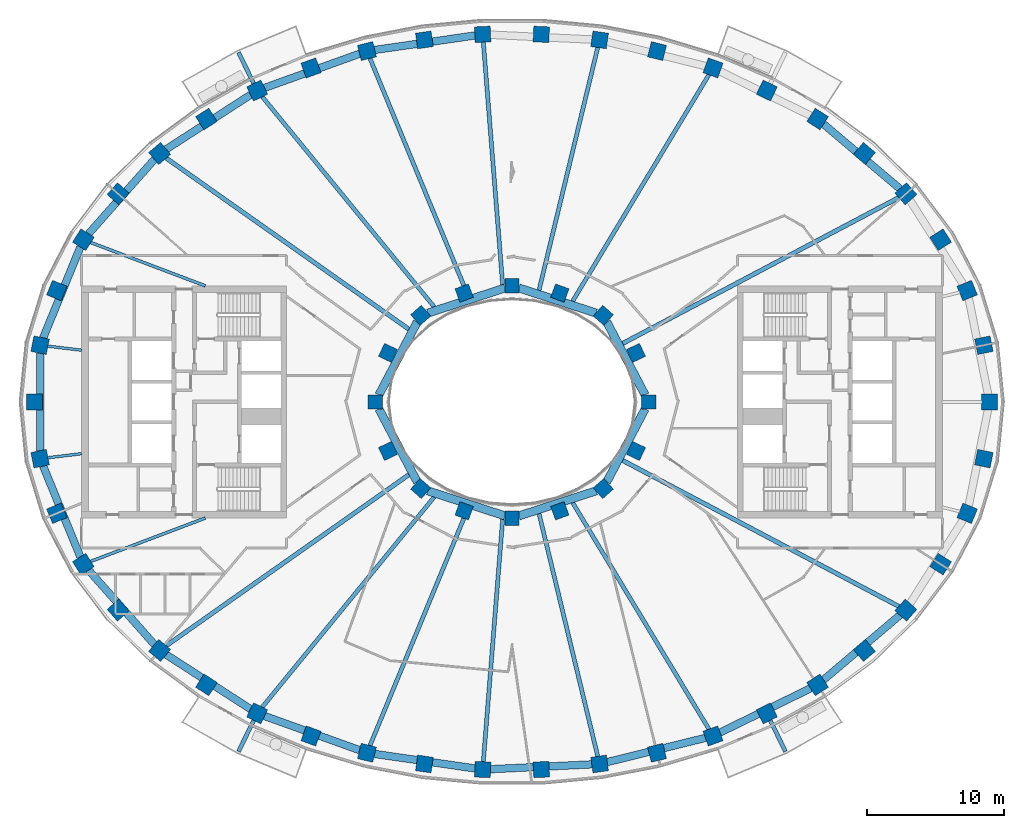
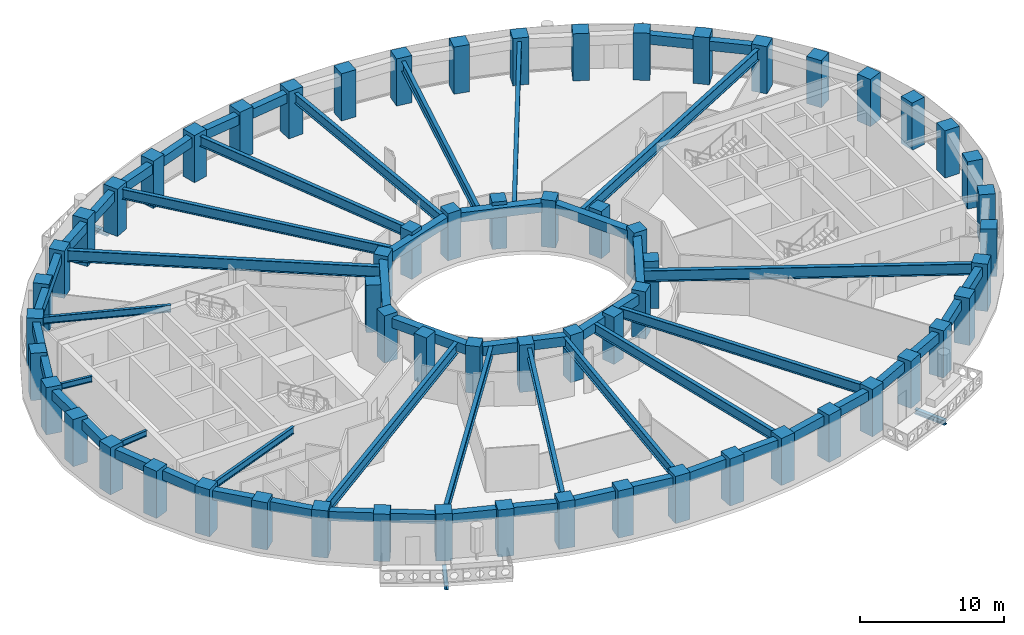
# One storey, part 1 of 15: 62 columns, 45 beams.
"""IFC4 building model written with IfcOpenShell, lengths in metres."""

from ifc_helpers import new_model, si_unit, direction, frame, origin, origin_2d, place, context, subcontext, project, spatial, rectangle, i_section, extrude, material, material_profile, profile_set, type_object, element, save


model = new_model("IFC4")

# Units and contexts
model_context = context("Model", 3, precision=1e-05, world=origin(), true_north=direction((0.0, 1.0)))
body_context = subcontext(model_context, "Body", "Model", "MODEL_VIEW")
ifc_project = project(units=[si_unit("LENGTHUNIT", "METRE"), si_unit("AREAUNIT", "SQUARE_METRE"), si_unit("VOLUMEUNIT", "CUBIC_METRE"), si_unit("PLANEANGLEUNIT", "RADIAN"), si_unit("MASSUNIT", "GRAM", prefix="KILO")], contexts=[model_context])

# Site, building, storey
site_placement = place(None, origin())
site = spatial("IfcSite", under=ifc_project, at=site_placement, CompositionType="ELEMENT")
building_placement = place(site_placement, origin())
building = spatial("IfcBuilding", under=site, at=building_placement, Name="Noorbagh Ring Tower", CompositionType="ELEMENT")
storey_placement = place(building_placement, frame((0.0, 0.0, 182.0)))
storey = spatial("IfcBuildingStorey", under=building, at=storey_placement, Name="L42", CompositionType="ELEMENT", Elevation=182.0)

# Columns
ifc_material_1 = material(Name="Concrete C60/75", Category="concrete")
ifc_material_profile_1 = material_profile(ifc_material_1, rectangle(XDim=1.14990234375, YDim=1.14990234375, at=origin_2d()), Name="RC1150x1150")
ifc_profile_set_1 = profile_set([ifc_material_profile_1], Name="Concrete C60/75")
column_type_1 = type_object("IfcColumnType", Name="STR-COL-RC1150x1150-C60-75", PredefinedType="COLUMN", material=ifc_profile_set_1)
for number, where, z_axis, x_axis, name in (
    (1, (34.944580078125, 0.0, 0.0), (0.0, 0.0, 1.0), (0.0, 1.0, 0.0), "L42/col/R1-01"),
    (2, (34.52685546875, 4.150634765625, 0.0), (0.0, 0.0, 1.0), (-0.19723040178, 0.9803571638, 0.0), "L42/col/R1-02"),
    (3, (33.30517578125, 8.1494140625, 0.0), (0.0, 0.0, 1.0), (-0.378989499959, 0.925400971969, 0.0), "L42/col/R1-03"),
    (4, (31.364990234375, 11.87109375, 0.0), (0.0, 0.0, 1.0), (-0.535190403059, 0.844731455833, 0.0), "L42/col/R1-04"),
    (5, (28.81884765625, 15.23046875, 0.0), (0.0, 0.0, 1.0), (-0.662635642662, 0.748941923699, 0.0), "L42/col/R1-05"),
    (6, (25.78271484375, 18.180419921875, 0.0), (0.0, 0.0, 1.0), (-0.763035199656, 0.646356932419, 0.0), "L42/col/R1-06"),
    (7, (22.362060546875, 20.699951171875, 0.0), (0.0, 0.0, 1.0), (-0.840247639643, 0.542202825586, 0.0), "L42/col/R1-07"),
    (8, (18.646240234375, 22.785400390625, 0.0), (0.0, 0.0, 1.0), (-0.898399080868, 0.439180021741, 0.0), "L42/col/R1-08"),
    (9, (14.70947265625, 24.44091796875, 0.0), (0.0, 0.0, 1.0), (-0.941024726094, 0.338337797003, 0.0), "L42/col/R1-09"),
    (10, (10.61328125, 25.673583984375, 0.0), (0.0, 0.0, 1.0), (-0.970829360981, 0.239771457553, 0.0), "L42/col/R1-10"),
    (11, (6.4091796875, 26.49072265625, 0.0), (0.0, 0.0, 1.0), (-0.989713114048, 0.143066249975, 0.0), "L42/col/R1-11"),
    (12, (2.14306640625, 26.89794921875, 0.0), (0.0, 0.0, 1.0), (-0.998868731212, 0.047552684538, 0.0), "L42/col/R1-12"),
    (13, (-2.14306640625, 26.89794921875, 0.0), (0.0, 0.0, 1.0), (-0.998868731212, -0.047552684538, 0.0), "L42/col/R1-13"),
    (14, (-6.4091796875, 26.49072265625, 0.0), (0.0, 0.0, 1.0), (-0.989713114048, -0.143066249975, 0.0), "L42/col/R1-14"),
    (15, (-10.61328125, 25.673583984375, 0.0), (0.0, 0.0, 1.0), (-0.970829360981, -0.239771457553, 0.0), "L42/col/R1-15"),
    (16, (-14.70947265625, 24.44091796875, 0.0), (0.0, 0.0, 1.0), (-0.941024726094, -0.338337797003, 0.0), "L42/col/R1-16"),
    (17, (-18.646240234375, 22.785400390625, 0.0), (0.0, 0.0, 1.0), (-0.898399080868, -0.439180021741, 0.0), "L42/col/R1-17"),
    (18, (-22.362060546875, 20.699951171875, 0.0), (0.0, 0.0, 1.0), (-0.840247639643, -0.542202825586, 0.0), "L42/col/R1-18"),
    (19, (-25.78271484375, 18.180419921875, 0.0), (0.0, 0.0, 1.0), (-0.763035199656, -0.646356932419, 0.0), "L42/col/R1-19"),
    (20, (-28.81884765625, 15.23046875, 0.0), (0.0, 0.0, 1.0), (-0.662635642662, -0.748941923699, 0.0), "L42/col/R1-20"),
    (21, (-31.364990234375, 11.87109375, 0.0), (0.0, 0.0, 1.0), (-0.535190403059, -0.844731455833, 0.0), "L42/col/R1-21"),
    (22, (-33.30517578125, 8.1494140625, 0.0), (0.0, 0.0, 1.0), (-0.378989499959, -0.925400971969, 0.0), "L42/col/R1-22"),
    (23, (-34.52685546875, 4.150634765625, 0.0), (0.0, 0.0, 1.0), (-0.19723040178, -0.9803571638, 0.0), "L42/col/R1-23"),
    (24, (-34.944580078125, 0.0, 0.0), (0.0, 0.0, 1.0), (0.0, -1.0, 0.0), "L42/col/R1-24"),
    (25, (-34.52685546875, -4.150634765625, 0.0), (0.0, 0.0, 1.0), (0.19723040178, -0.9803571638, 0.0), "L42/col/R1-25"),
    (26, (-33.30517578125, -8.1494140625, 0.0), (0.0, 0.0, 1.0), (0.378989499959, -0.925400971969, 0.0), "L42/col/R1-26"),
    (27, (-31.364990234375, -11.87109375, 0.0), (0.0, 0.0, 1.0), (0.535190403059, -0.844731455833, 0.0), "L42/col/R1-27"),
    (28, (-28.81884765625, -15.23046875, 0.0), (0.0, 0.0, 1.0), (0.662635642662, -0.748941923699, 0.0), "L42/col/R1-28"),
    (29, (-25.78271484375, -18.180419921875, 0.0), (0.0, 0.0, 1.0), (0.763035199656, -0.646356932419, 0.0), "L42/col/R1-29"),
    (30, (-22.362060546875, -20.699951171875, 0.0), (0.0, 0.0, 1.0), (0.840247639643, -0.542202825586, 0.0), "L42/col/R1-30"),
    (31, (-18.646240234375, -22.785400390625, 0.0), (0.0, 0.0, 1.0), (0.898399080868, -0.439180021741, 0.0), "L42/col/R1-31"),
    (32, (-14.70947265625, -24.44091796875, 0.0), (0.0, 0.0, 1.0), (0.941024726094, -0.338337797003, 0.0), "L42/col/R1-32"),
    (33, (-10.61328125, -25.673583984375, 0.0), (0.0, 0.0, 1.0), (0.970829360981, -0.239771457553, 0.0), "L42/col/R1-33"),
    (34, (-6.4091796875, -26.49072265625, 0.0), (0.0, 0.0, 1.0), (0.989713114048, -0.143066249975, 0.0), "L42/col/R1-34"),
    (35, (-2.14306640625, -26.89794921875, 0.0), (0.0, 0.0, 1.0), (0.998868731212, -0.047552684538, 0.0), "L42/col/R1-35"),
    (36, (2.14306640625, -26.89794921875, 0.0), (0.0, 0.0, 1.0), (0.998868731212, 0.047552684538, 0.0), "L42/col/R1-36"),
    (37, (6.4091796875, -26.49072265625, 0.0), (0.0, 0.0, 1.0), (0.989713114048, 0.143066249975, 0.0), "L42/col/R1-37"),
    (38, (10.61328125, -25.673583984375, 0.0), (0.0, 0.0, 1.0), (0.970829360981, 0.239771457553, 0.0), "L42/col/R1-38"),
    (39, (14.70947265625, -24.44091796875, 0.0), (0.0, 0.0, 1.0), (0.941024726094, 0.338337797003, 0.0), "L42/col/R1-39"),
    (40, (18.646240234375, -22.785400390625, 0.0), (0.0, 0.0, 1.0), (0.898399080868, 0.439180021741, 0.0), "L42/col/R1-40"),
    (41, (22.362060546875, -20.699951171875, 0.0), (0.0, 0.0, 1.0), (0.840247639643, 0.542202825586, 0.0), "L42/col/R1-41"),
    (42, (25.78271484375, -18.180419921875, 0.0), (0.0, 0.0, 1.0), (0.763035199656, 0.646356932419, 0.0), "L42/col/R1-42"),
    (43, (28.81884765625, -15.23046875, 0.0), (0.0, 0.0, 1.0), (0.662635642662, 0.748941923699, 0.0), "L42/col/R1-43"),
    (44, (31.364990234375, -11.87109375, 0.0), (0.0, 0.0, 1.0), (0.535190403059, 0.844731455833, 0.0), "L42/col/R1-44"),
    (45, (33.30517578125, -8.1494140625, 0.0), (0.0, 0.0, 1.0), (0.378989499959, 0.925400971969, 0.0), "L42/col/R1-45"),
    (46, (34.52685546875, -4.150634765625, 0.0), (0.0, 0.0, 1.0), (0.19723040178, 0.9803571638, 0.0), "L42/col/R1-46"),
):
    element("IfcColumn", number, at=place(storey_placement, frame(where, z_axis=z_axis, x_axis=x_axis)), inside=storey, type_object=column_type_1, Name=name, PredefinedType="COLUMN", context=body_context, shape_type="SweptSolid", body=[
        extrude(rectangle(XDim=1.14990234375, YDim=1.14990234375, at=origin_2d()), origin(), (0.0, 0.0, 1.0), 4.0),
    ])
ifc_material_2 = material(Name="Concrete C60/75", Category="concrete")
ifc_material_profile_2 = material_profile(ifc_material_2, rectangle(XDim=1.050048828125, YDim=1.050048828125, at=origin_2d()), Name="RC1050x1050")
ifc_profile_set_2 = profile_set([ifc_material_profile_2], Name="Concrete C60/75")
column_type_2 = type_object("IfcColumnType", Name="STR-ICOL-RC1050x1050-C60-75", PredefinedType="COLUMN", material=ifc_profile_set_2)
for number, where, z_axis, x_axis, name in (
    (47, (10.00830078125, 0.0, 0.0), (0.0, 0.0, 1.0), (0.0, 1.0, 0.0), "L42/col/IR2-W01"),
    (48, (9.07568359375, 3.58837890625, 0.0), (0.0, 0.0, 1.0), (-0.428666979171, 0.903462573087, 0.0), "L42/col/IR2-W03"),
    (49, (6.68212890625, 6.333740234375, 0.0), (0.0, 0.0, 1.0), (-0.75102249095, 0.660276622399, 0.0), "L42/col/IR2-W05"),
    (50, (3.5009765625, 7.967041015625, 0.0), (0.0, 0.0, 1.0), (-0.939019578916, 0.343863679984, 0.0), "L42/col/IR2-W07"),
    (51, (0.0, 8.5029296875, 0.0), (0.0, 0.0, 1.0), (-1.0, 0.0, 0.0), "L42/col/IR2-W09"),
    (52, (-3.5009765625, 7.967041015625, 0.0), (0.0, 0.0, 1.0), (-0.939019578916, -0.343863679984, 0.0), "L42/col/IR2-W11"),
    (53, (-6.68212890625, 6.333740234375, 0.0), (0.0, 0.0, 1.0), (-0.75102249095, -0.660276622399, 0.0), "L42/col/IR2-W13"),
    (54, (-9.07568359375, 3.58837890625, 0.0), (0.0, 0.0, 1.0), (-0.428666979171, -0.903462573087, 0.0), "L42/col/IR2-W15"),
    (55, (-10.00830078125, 0.0, 0.0), (0.0, 0.0, 1.0), (0.0, -1.0, 0.0), "L42/col/IR2-W17"),
    (56, (-9.07568359375, -3.58837890625, 0.0), (0.0, 0.0, 1.0), (0.428666979171, -0.903462573087, 0.0), "L42/col/IR2-W19"),
    (57, (-6.68212890625, -6.333740234375, 0.0), (0.0, 0.0, 1.0), (0.75102249095, -0.660276622399, 0.0), "L42/col/IR2-W21"),
    (58, (-3.5009765625, -7.967041015625, 0.0), (0.0, 0.0, 1.0), (0.939019578916, -0.343863679984, 0.0), "L42/col/IR2-W23"),
    (59, (0.0, -8.5029296875, 0.0), (0.0, 0.0, 1.0), (1.0, 0.0, 0.0), "L42/col/IR2-W25"),
    (60, (3.5009765625, -7.967041015625, 0.0), (0.0, 0.0, 1.0), (0.939019578916, 0.343863679984, 0.0), "L42/col/IR2-W27"),
    (61, (6.68212890625, -6.333740234375, 0.0), (0.0, 0.0, 1.0), (0.75102249095, 0.660276622399, 0.0), "L42/col/IR2-W29"),
    (62, (9.07568359375, -3.58837890625, 0.0), (0.0, 0.0, 1.0), (0.428666979171, 0.903462573087, 0.0), "L42/col/IR2-W31"),
):
    element("IfcColumn", number, at=place(storey_placement, frame(where, z_axis=z_axis, x_axis=x_axis)), inside=storey, type_object=column_type_2, Name=name, PredefinedType="COLUMN", context=body_context, shape_type="SweptSolid", body=[
        extrude(rectangle(XDim=1.050048828125, YDim=1.050048828125, at=origin_2d()), origin(), (0.0, 0.0, 1.0), 4.0),
    ])

# Beams
ifc_material_3 = material(Name="Steel S355", Category="steel")
ifc_material_profile_3 = material_profile(ifc_material_3, i_section(OverallWidth=0.300048828125, OverallDepth=0.39990234375, WebThickness=0.013427734375, FlangeThickness=0.02392578125, FilletRadius=0.027099609375, at=origin_2d()), Name="HEB400")
ifc_profile_set_3 = profile_set([ifc_material_profile_3], Name="Steel S355")
beam_type_1 = type_object("IfcBeamType", Name="STR-BALCONY-BRACKET-HEB400", PredefinedType="BEAM", material=ifc_profile_set_3)
for number, where, z_axis, x_axis, name in (
    (63, (-18.89013671875, 23.283935546875, -0.5), (-0.439230736405, 0.898374287364, 0.0), (-0.898374287364, -0.439230736405, 0.0), "Balcony bracket beam BN05"),
    (64, (-18.89013671875, -23.283935546875, -0.5), (-0.439230736405, -0.898374287364, 0.0), (0.898374287364, -0.439230736405, 0.0), "Balcony bracket beam BS02"),
    (65, (18.89013671875, -23.283935546875, -0.5), (0.439230736405, -0.898374287364, 0.0), (0.898374287364, 0.439230736405, 0.0), "Balcony bracket beam BS05"),
):
    element("IfcBeam", number, at=place(storey_placement, frame(where, z_axis=z_axis, x_axis=x_axis)), inside=storey, type_object=beam_type_1, Name=name, PredefinedType="BEAM", context=body_context, shape_type="SweptSolid", body=[
        extrude(i_section(OverallWidth=0.300048828125, OverallDepth=0.39990234375, WebThickness=0.013427734375, FlangeThickness=0.02392578125, FilletRadius=0.027099609375, at=origin_2d()), origin(), (0.0, 0.0, 1.0), 2.55029296875),
    ])
ifc_material_4 = material(Name="Steel S355", Category="steel")
ifc_material_profile_4 = material_profile(ifc_material_4, i_section(OverallWidth=0.199951171875, OverallDepth=0.5, WebThickness=0.01025390625, FlangeThickness=0.01611328125, FilletRadius=0.02099609375, at=origin_2d()), Name="IPE500")
ifc_profile_set_4 = profile_set([ifc_material_profile_4], Name="Steel S355")
beam_type_2 = type_object("IfcBeamType", Name="STR-RAD-IPE500", PredefinedType="BEAM", material=ifc_profile_set_4)
for number, where, z_axis, x_axis, name in (
    (66, (-33.973876953125, 4.084228515625, 3.449951171875), (0.992850135932, -0.119367531518, 0.0), (0.119367531518, 0.992850135932, 0.0), "L42/bm/RD23"),
    (67, (-33.973876953125, -4.084228515625, 3.449951171875), (0.992850135932, 0.119367531518, 0.0), (-0.119367531518, 0.992850135932, 0.0), "L42/bm/RD25"),
):
    element("IfcBeam", number, at=place(storey_placement, frame(where, z_axis=z_axis, x_axis=x_axis)), inside=storey, type_object=beam_type_2, Name=name, PredefinedType="BEAM", context=body_context, shape_type="SweptSolid", body=[
        extrude(i_section(OverallWidth=0.199951171875, OverallDepth=0.5, WebThickness=0.01025390625, FlangeThickness=0.01611328125, FilletRadius=0.02099609375, at=origin_2d()), origin(), (0.0, 0.0, 1.0), 2.51171875),
    ])
ifc_material_5 = material(Name="Steel S355", Category="steel")
ifc_material_profile_5 = material_profile(ifc_material_5, i_section(OverallWidth=0.219970703125, OverallDepth=0.60009765625, WebThickness=0.011962890625, FlangeThickness=0.01904296875, FilletRadius=0.02392578125, at=origin_2d()), Name="IPE600")
ifc_profile_set_5 = profile_set([ifc_material_profile_5], Name="Steel S355")
beam_type_3 = type_object("IfcBeamType", Name="STR-RAD-IPE600", PredefinedType="BEAM", material=ifc_profile_set_5)
for number, where, z_axis, x_axis, name in (
    (68, (-30.834716796875, 11.670166015625, 3.39990234375), (0.935258517004, -0.353965402789, 0.0), (0.353965402789, 0.935258517004, 0.0), "L42/bm/RD21"),
    (69, (-30.834716796875, -11.670166015625, 3.39990234375), (0.935258517004, 0.353965402789, 0.0), (-0.353965402789, 0.935258517004, 0.0), "L42/bm/RD27"),
):
    element("IfcBeam", number, at=place(storey_placement, frame(where, z_axis=z_axis, x_axis=x_axis)), inside=storey, type_object=beam_type_3, Name=name, PredefinedType="BEAM", context=body_context, shape_type="SweptSolid", body=[
        extrude(i_section(OverallWidth=0.219970703125, OverallDepth=0.60009765625, WebThickness=0.011962890625, FlangeThickness=0.01904296875, FilletRadius=0.02392578125, at=origin_2d()), origin(), (0.0, 0.0, 1.0), 8.97607421875),
    ])
ifc_material_6 = material(Name="Steel S355", Category="steel")
ifc_material_profile_6 = material_profile(ifc_material_6, i_section(OverallWidth=0.300048828125, OverallDepth=0.85009765625, WebThickness=0.013916015625, FlangeThickness=0.028076171875, at=origin_2d()), Name="PG850x300x14x28")
ifc_profile_set_6 = profile_set([ifc_material_profile_6], Name="Steel S355")
beam_type_4 = type_object("IfcBeamType", Name="STR-RAD-PG850x300x14x28", PredefinedType="BEAM", material=ifc_profile_set_6)
beam_1_placement = place(storey_placement, frame((14.41748046875, 23.95556640625, 3.27490234375), z_axis=(-0.515657480155, -0.856794819756, 0.0), x_axis=(0.856794819756, -0.515657480155, 0.0)))
element("IfcBeam", 70, at=beam_1_placement, inside=storey, type_object=beam_type_4, Name="L42/bm/RD09", PredefinedType="BEAM", context=body_context, shape_type="SweptSolid", body=[
    extrude(i_section(OverallWidth=0.300048828125, OverallDepth=0.85009765625, WebThickness=0.013916015625, FlangeThickness=0.028076171875, at=origin_2d()), origin(), (0.0, 0.0, 1.0), 19.36962890625),
])
beam_2_placement = place(storey_placement, frame((6.278076171875, 25.948974609375, 3.27490234375), z_axis=(-0.235157209599, -0.971957348228, 0.0), x_axis=(0.971957348228, -0.235157209599, 0.0)))
element("IfcBeam", 71, at=beam_2_placement, inside=storey, type_object=beam_type_4, Name="L42/bm/RD11", PredefinedType="BEAM", context=body_context, shape_type="SweptSolid", body=[
    extrude(i_section(OverallWidth=0.300048828125, OverallDepth=0.85009765625, WebThickness=0.013916015625, FlangeThickness=0.028076171875, at=origin_2d()), origin(), (0.0, 0.0, 1.0), 18.3056640625),
])
beam_3_placement = place(storey_placement, frame((-2.09912109375, 26.344482421875, 3.27490234375), z_axis=(0.079426755243, -0.996840704702, 0.0), x_axis=(0.996840704702, 0.079426755243, 0.0)))
element("IfcBeam", 72, at=beam_3_placement, inside=storey, type_object=beam_type_4, Name="L42/bm/RD13", PredefinedType="BEAM", context=body_context, shape_type="SweptSolid", body=[
    extrude(i_section(OverallWidth=0.300048828125, OverallDepth=0.85009765625, WebThickness=0.013916015625, FlangeThickness=0.028076171875, at=origin_2d()), origin(), (0.0, 0.0, 1.0), 17.824951171875),
])
beam_4_placement = place(storey_placement, frame((-10.398681640625, 25.15478515625, 3.27490234375), z_axis=(0.382029145197, -0.924150275778, 0.0), x_axis=(0.924150275778, 0.382029145197, 0.0)))
element("IfcBeam", 73, at=beam_4_placement, inside=storey, type_object=beam_type_4, Name="L42/bm/RD15", PredefinedType="BEAM", context=body_context, shape_type="SweptSolid", body=[
    extrude(i_section(OverallWidth=0.300048828125, OverallDepth=0.85009765625, WebThickness=0.013916015625, FlangeThickness=0.028076171875, at=origin_2d()), origin(), (0.0, 0.0, 1.0), 18.826171875),
])
for number, where, z_axis, x_axis, name in (
    (74, (-18.284912109375, 22.34375, 3.27490234375), (0.633309312675, -0.773898775344, 0.0), (0.773898775344, 0.633309312675, 0.0), "L42/bm/RD17"),
    (75, (-18.284912109375, -22.34375, 3.27490234375), (0.633309312675, 0.773898775344, 0.0), (-0.773898775344, 0.633309312675, 0.0), "L42/bm/RD31"),
):
    element("IfcBeam", number, at=place(storey_placement, frame(where, z_axis=z_axis, x_axis=x_axis)), inside=storey, type_object=beam_type_4, Name=name, PredefinedType="BEAM", context=body_context, shape_type="SweptSolid", body=[
        extrude(i_section(OverallWidth=0.300048828125, OverallDepth=0.85009765625, WebThickness=0.013916015625, FlangeThickness=0.028076171875, at=origin_2d()), origin(), (0.0, 0.0, 1.0), 19.888671875),
    ])
beam_5_placement = place(storey_placement, frame((-10.398681640625, -25.15478515625, 3.27490234375), z_axis=(0.382029145197, 0.924150275778, 0.0), x_axis=(-0.924150275778, 0.382029145197, 0.0)))
element("IfcBeam", 76, at=beam_5_placement, inside=storey, type_object=beam_type_4, Name="L42/bm/RD33", PredefinedType="BEAM", context=body_context, shape_type="SweptSolid", body=[
    extrude(i_section(OverallWidth=0.300048828125, OverallDepth=0.85009765625, WebThickness=0.013916015625, FlangeThickness=0.028076171875, at=origin_2d()), origin(), (0.0, 0.0, 1.0), 18.826171875),
])
beam_6_placement = place(storey_placement, frame((-2.09912109375, -26.344482421875, 3.27490234375), z_axis=(0.079426755243, 0.996840704702, 0.0), x_axis=(-0.996840704702, 0.079426755243, 0.0)))
element("IfcBeam", 77, at=beam_6_placement, inside=storey, type_object=beam_type_4, Name="L42/bm/RD35", PredefinedType="BEAM", context=body_context, shape_type="SweptSolid", body=[
    extrude(i_section(OverallWidth=0.300048828125, OverallDepth=0.85009765625, WebThickness=0.013916015625, FlangeThickness=0.028076171875, at=origin_2d()), origin(), (0.0, 0.0, 1.0), 17.824951171875),
])
beam_7_placement = place(storey_placement, frame((6.278076171875, -25.948974609375, 3.27490234375), z_axis=(-0.235157209599, 0.971957348228, 0.0), x_axis=(-0.971957348228, -0.235157209599, 0.0)))
element("IfcBeam", 78, at=beam_7_placement, inside=storey, type_object=beam_type_4, Name="L42/bm/RD37", PredefinedType="BEAM", context=body_context, shape_type="SweptSolid", body=[
    extrude(i_section(OverallWidth=0.300048828125, OverallDepth=0.85009765625, WebThickness=0.013916015625, FlangeThickness=0.028076171875, at=origin_2d()), origin(), (0.0, 0.0, 1.0), 18.3056640625),
])
beam_8_placement = place(storey_placement, frame((14.41748046875, -23.95556640625, 3.27490234375), z_axis=(-0.515657480155, 0.856794819756, 0.0), x_axis=(-0.856794819756, -0.515657480155, 0.0)))
element("IfcBeam", 79, at=beam_8_placement, inside=storey, type_object=beam_type_4, Name="L42/bm/RD39", PredefinedType="BEAM", context=body_context, shape_type="SweptSolid", body=[
    extrude(i_section(OverallWidth=0.300048828125, OverallDepth=0.85009765625, WebThickness=0.013916015625, FlangeThickness=0.028076171875, at=origin_2d()), origin(), (0.0, 0.0, 1.0), 19.36962890625),
])
ifc_material_7 = material(Name="Steel S355", Category="steel")
ifc_material_profile_7 = material_profile(ifc_material_7, i_section(OverallWidth=0.320068359375, OverallDepth=0.949951171875, WebThickness=0.01611328125, FlangeThickness=0.030029296875, at=origin_2d()), Name="PG950x320x16x30")
ifc_profile_set_7 = profile_set([ifc_material_profile_7], Name="Steel S355")
beam_type_5 = type_object("IfcBeamType", Name="STR-RAD-PG950x320x16x30", PredefinedType="BEAM", material=ifc_profile_set_7)
beam_9_placement = place(storey_placement, frame((28.3134765625, 14.96337890625, 3.22509765625), z_axis=(-0.88412220417, -0.467255741638, 0.0), x_axis=(0.467255741638, -0.88412220417, 0.0)))
element("IfcBeam", 80, at=beam_9_placement, inside=storey, type_object=beam_type_5, Name="L42/bm/RD05", PredefinedType="BEAM", context=body_context, shape_type="SweptSolid", body=[
    extrude(i_section(OverallWidth=0.320068359375, OverallDepth=0.949951171875, WebThickness=0.01611328125, FlangeThickness=0.030029296875, at=origin_2d()), origin(), (0.0, 0.0, 1.0), 22.88330078125),
])
for number, where, z_axis, x_axis, name in (
    (81, (-25.313720703125, 17.849609375, 3.22509765625), (0.81725576223, -0.576275124487, 0.0), (0.576275124487, 0.81725576223, 0.0), "L42/bm/RD19"),
    (82, (-25.313720703125, -17.849609375, 3.22509765625), (0.81725576223, 0.576275124487, 0.0), (-0.576275124487, 0.81725576223, 0.0), "L42/bm/RD29"),
):
    element("IfcBeam", number, at=place(storey_placement, frame(where, z_axis=z_axis, x_axis=x_axis)), inside=storey, type_object=beam_type_5, Name=name, PredefinedType="BEAM", context=body_context, shape_type="SweptSolid", body=[
        extrude(i_section(OverallWidth=0.320068359375, OverallDepth=0.949951171875, WebThickness=0.01611328125, FlangeThickness=0.030029296875, at=origin_2d()), origin(), (0.0, 0.0, 1.0), 21.754638671875),
    ])
beam_10_placement = place(storey_placement, frame((28.3134765625, -14.96337890625, 3.22509765625), z_axis=(-0.88412220417, 0.467255741638, 0.0), x_axis=(-0.467255741638, -0.88412220417, 0.0)))
element("IfcBeam", 83, at=beam_10_placement, inside=storey, type_object=beam_type_5, Name="L42/bm/RD43", PredefinedType="BEAM", context=body_context, shape_type="SweptSolid", body=[
    extrude(i_section(OverallWidth=0.320068359375, OverallDepth=0.949951171875, WebThickness=0.01611328125, FlangeThickness=0.030029296875, at=origin_2d()), origin(), (0.0, 0.0, 1.0), 22.88330078125),
])
ifc_material_8 = material(Name="Concrete C40/50", Category="concrete")
ifc_material_profile_8 = material_profile(ifc_material_8, rectangle(XDim=0.60009765625, YDim=0.800048828125, at=origin_2d()), Name="RC600x800")
ifc_profile_set_8 = profile_set([ifc_material_profile_8], Name="Concrete C40/50")
beam_type_6 = type_object("IfcBeamType", Name="STR-RB-RC600x800-C40-50", PredefinedType="BEAM", material=ifc_profile_set_8)
beam_11_placement = place(storey_placement, frame((9.741943359375, 0.50732421875, 3.300048828125), z_axis=(-0.464929768283, 0.885347564838, 0.0), x_axis=(-0.885347564838, -0.464929768283, 0.0)))
element("IfcBeam", 84, at=beam_11_placement, inside=storey, type_object=beam_type_6, Name="L42/bm/RG01", PredefinedType="BEAM", context=body_context, shape_type="SweptSolid", body=[
    extrude(rectangle(XDim=0.60009765625, YDim=0.800048828125, at=origin_2d()), origin(), (0.0, 0.0, 1.0), 6.038818359375),
])
for number, where, z_axis, x_axis, name in (
    (85, (6.157470703125, 6.504150390625, 3.300048828125), (-0.951147838406, 0.308735792379, 0.0), (-0.308735792379, -0.951147838406, 0.0), "L42/bm/RG03"),
    (86, (-0.505859375, 8.338623046875, 3.300048828125), (-0.951147838406, -0.308735792379, 0.0), (0.308735792379, -0.951147838406, 0.0), "L42/bm/RG05"),
):
    element("IfcBeam", number, at=place(storey_placement, frame(where, z_axis=z_axis, x_axis=x_axis)), inside=storey, type_object=beam_type_6, Name=name, PredefinedType="BEAM", context=body_context, shape_type="SweptSolid", body=[
        extrude(rectangle(XDim=0.60009765625, YDim=0.800048828125, at=origin_2d()), origin(), (0.0, 0.0, 1.0), 5.94189453125),
    ])
for number, where, z_axis, x_axis, name in (
    (87, (-6.934326171875, 5.853759765625, 3.300048828125), (-0.464929768283, -0.885347564838, 0.0), (0.885347564838, -0.464929768283, 0.0), "L42/bm/RG07"),
    (88, (-9.741943359375, -0.50732421875, 3.300048828125), (0.464929768283, -0.885347564838, 0.0), (0.885347564838, 0.464929768283, 0.0), "L42/bm/RG09"),
):
    element("IfcBeam", number, at=place(storey_placement, frame(where, z_axis=z_axis, x_axis=x_axis)), inside=storey, type_object=beam_type_6, Name=name, PredefinedType="BEAM", context=body_context, shape_type="SweptSolid", body=[
        extrude(rectangle(XDim=0.60009765625, YDim=0.800048828125, at=origin_2d()), origin(), (0.0, 0.0, 1.0), 6.038818359375),
    ])
for number, where, z_axis, x_axis, name in (
    (89, (-6.157470703125, -6.504150390625, 3.300048828125), (0.951147838406, -0.308735792379, 0.0), (0.308735792379, 0.951147838406, 0.0), "L42/bm/RG11"),
    (90, (0.505859375, -8.338623046875, 3.300048828125), (0.951147838406, 0.308735792379, 0.0), (-0.308735792379, 0.951147838406, 0.0), "L42/bm/RG13"),
):
    element("IfcBeam", number, at=place(storey_placement, frame(where, z_axis=z_axis, x_axis=x_axis)), inside=storey, type_object=beam_type_6, Name=name, PredefinedType="BEAM", context=body_context, shape_type="SweptSolid", body=[
        extrude(rectangle(XDim=0.60009765625, YDim=0.800048828125, at=origin_2d()), origin(), (0.0, 0.0, 1.0), 5.94189453125),
    ])
beam_12_placement = place(storey_placement, frame((6.934326171875, -5.853759765625, 3.300048828125), z_axis=(0.464929768283, 0.885347564838, 0.0), x_axis=(-0.885347564838, 0.464929768283, 0.0)))
element("IfcBeam", 91, at=beam_12_placement, inside=storey, type_object=beam_type_6, Name="L42/bm/RG15", PredefinedType="BEAM", context=body_context, shape_type="SweptSolid", body=[
    extrude(rectangle(XDim=0.60009765625, YDim=0.800048828125, at=origin_2d()), origin(), (0.0, 0.0, 1.0), 6.038818359375),
])
ifc_material_9 = material(Name="Concrete C40/50", Category="concrete")
ifc_material_profile_9 = material_profile(ifc_material_9, rectangle(XDim=0.550048828125, YDim=0.800048828125, at=origin_2d()), Name="RC550x800")
ifc_profile_set_9 = profile_set([ifc_material_profile_9], Name="Concrete C40/50")
beam_type_7 = type_object("IfcBeamType", Name="STR-SB-RC550x800-C40-50", PredefinedType="BEAM", material=ifc_profile_set_9)
beam_13_placement = place(storey_placement, frame((28.390869140625, 15.593017578125, 3.300048828125), z_axis=(-0.76302791951, 0.646365526656, 0.0), x_axis=(-0.646365526656, -0.76302791951, 0.0)))
element("IfcBeam", 92, at=beam_13_placement, inside=storey, type_object=beam_type_7, Name="L42/bm/SP05", PredefinedType="BEAM", context=body_context, shape_type="SweptSolid", body=[
    extrude(rectangle(XDim=0.550048828125, YDim=0.800048828125, at=origin_2d()), origin(), (0.0, 0.0, 1.0), 7.34130859375),
])
beam_14_placement = place(storey_placement, frame((-2.695068359375, 26.818115234375, 3.300048828125), z_axis=(-0.989714582635, -0.143056090115, 0.0), x_axis=(0.143056090115, -0.989714582635, 0.0)))
element("IfcBeam", 93, at=beam_14_placement, inside=storey, type_object=beam_type_7, Name="L42/bm/SP13", PredefinedType="BEAM", context=body_context, shape_type="SweptSolid", body=[
    extrude(rectangle(XDim=0.550048828125, YDim=0.800048828125, at=origin_2d()), origin(), (0.0, 0.0, 1.0), 7.442626953125),
])
beam_15_placement = place(storey_placement, frame((-11.138427734375, 25.48486328125, 3.300048828125), z_axis=(-0.941023654447, -0.338340777576, 0.0), x_axis=(0.338340777576, -0.941023654447, 0.0)))
element("IfcBeam", 94, at=beam_15_placement, inside=storey, type_object=beam_type_7, Name="L42/bm/SP15", PredefinedType="BEAM", context=body_context, shape_type="SweptSolid", body=[
    extrude(rectangle(XDim=0.550048828125, YDim=0.800048828125, at=origin_2d()), origin(), (0.0, 0.0, 1.0), 7.419921875),
])
beam_16_placement = place(storey_placement, frame((-19.115966796875, 22.482177734375, 3.300048828125), z_axis=(-0.840254319368, -0.542192473928, 0.0), x_axis=(0.542192473928, -0.840254319368, 0.0)))
element("IfcBeam", 95, at=beam_16_placement, inside=storey, type_object=beam_type_7, Name="L42/bm/SP17", PredefinedType="BEAM", context=body_context, shape_type="SweptSolid", body=[
    extrude(rectangle(XDim=0.550048828125, YDim=0.800048828125, at=origin_2d()), origin(), (0.0, 0.0, 1.0), 7.374267578125),
])
beam_17_placement = place(storey_placement, frame((-26.154541015625, 17.76025390625, 3.300048828125), z_axis=(-0.662635208679, -0.74894230767, 0.0), x_axis=(0.74894230767, -0.662635208679, 0.0)))
element("IfcBeam", 96, at=beam_17_placement, inside=storey, type_object=beam_type_7, Name="L42/bm/SP19", PredefinedType="BEAM", context=body_context, shape_type="SweptSolid", body=[
    extrude(rectangle(XDim=0.550048828125, YDim=0.800048828125, at=origin_2d()), origin(), (0.0, 0.0, 1.0), 7.301025390625),
])
beam_18_placement = place(storey_placement, frame((-31.578857421875, 11.34912109375, 3.300048828125), z_axis=(-0.378982069308, -0.925404015089, 0.0), x_axis=(0.925404015089, -0.378982069308, 0.0)))
element("IfcBeam", 97, at=beam_18_placement, inside=storey, type_object=beam_type_7, Name="L42/bm/SP21", PredefinedType="BEAM", context=body_context, shape_type="SweptSolid", body=[
    extrude(rectangle(XDim=0.550048828125, YDim=0.800048828125, at=origin_2d()), origin(), (0.0, 0.0, 1.0), 7.213134765625),
])
beam_19_placement = place(storey_placement, frame((-34.52685546875, 3.584228515625, 3.300048828125), z_axis=(0.0, -1.0, 0.0), x_axis=(1.0, 0.0, 0.0)))
element("IfcBeam", 98, at=beam_19_placement, inside=storey, type_object=beam_type_7, Name="L42/bm/SP23", PredefinedType="BEAM", context=body_context, shape_type="SweptSolid", body=[
    extrude(rectangle(XDim=0.550048828125, YDim=0.800048828125, at=origin_2d()), origin(), (0.0, 0.0, 1.0), 7.16845703125),
])
beam_20_placement = place(storey_placement, frame((-34.3125, -4.674072265625, 3.300048828125), z_axis=(0.378982069308, -0.925404015089, 0.0), x_axis=(0.925404015089, 0.378982069308, 0.0)))
element("IfcBeam", 99, at=beam_20_placement, inside=storey, type_object=beam_type_7, Name="L42/bm/SP25", PredefinedType="BEAM", context=body_context, shape_type="SweptSolid", body=[
    extrude(rectangle(XDim=0.550048828125, YDim=0.800048828125, at=origin_2d()), origin(), (0.0, 0.0, 1.0), 7.213134765625),
])
beam_21_placement = place(storey_placement, frame((-30.992431640625, -12.292236328125, 3.300048828125), z_axis=(0.662635208679, -0.74894230767, 0.0), x_axis=(0.74894230767, 0.662635208679, 0.0)))
element("IfcBeam", 100, at=beam_21_placement, inside=storey, type_object=beam_type_7, Name="L42/bm/SP27", PredefinedType="BEAM", context=body_context, shape_type="SweptSolid", body=[
    extrude(rectangle(XDim=0.550048828125, YDim=0.800048828125, at=origin_2d()), origin(), (0.0, 0.0, 1.0), 7.301025390625),
])
beam_22_placement = place(storey_placement, frame((-25.312255859375, -18.48388671875, 3.300048828125), z_axis=(0.840254319368, -0.542192473928, 0.0), x_axis=(0.542192473928, 0.840254319368, 0.0)))
element("IfcBeam", 101, at=beam_22_placement, inside=storey, type_object=beam_type_7, Name="L42/bm/SP29", PredefinedType="BEAM", context=body_context, shape_type="SweptSolid", body=[
    extrude(rectangle(XDim=0.550048828125, YDim=0.800048828125, at=origin_2d()), origin(), (0.0, 0.0, 1.0), 7.374267578125),
])
beam_23_placement = place(storey_placement, frame((-18.120849609375, -22.974365234375, 3.300048828125), z_axis=(0.941023654447, -0.338340777576, 0.0), x_axis=(0.338340777576, 0.941023654447, 0.0)))
element("IfcBeam", 102, at=beam_23_placement, inside=storey, type_object=beam_type_7, Name="L42/bm/SP31", PredefinedType="BEAM", context=body_context, shape_type="SweptSolid", body=[
    extrude(rectangle(XDim=0.550048828125, YDim=0.800048828125, at=origin_2d()), origin(), (0.0, 0.0, 1.0), 7.419921875),
])
beam_24_placement = place(storey_placement, frame((-10.06103515625, -25.75341796875, 3.300048828125), z_axis=(0.989714582635, -0.143056090115, 0.0), x_axis=(0.143056090115, 0.989714582635, 0.0)))
element("IfcBeam", 103, at=beam_24_placement, inside=storey, type_object=beam_type_7, Name="L42/bm/SP33", PredefinedType="BEAM", context=body_context, shape_type="SweptSolid", body=[
    extrude(rectangle(XDim=0.550048828125, YDim=0.800048828125, at=origin_2d()), origin(), (0.0, 0.0, 1.0), 7.442626953125),
])
beam_25_placement = place(storey_placement, frame((-1.586181640625, -26.87158203125, 3.300048828125), z_axis=(0.998867915197, 0.047569822271, 0.0), x_axis=(-0.047569822271, 0.998867915197, 0.0)))
element("IfcBeam", 104, at=beam_25_placement, inside=storey, type_object=beam_type_7, Name="L42/bm/SP35", PredefinedType="BEAM", context=body_context, shape_type="SweptSolid", body=[
    extrude(rectangle(XDim=0.550048828125, YDim=0.800048828125, at=origin_2d()), origin(), (0.0, 0.0, 1.0), 7.447021484375),
])
beam_26_placement = place(storey_placement, frame((6.95068359375, -26.357177734375, 3.300048828125), z_axis=(0.970828249823, 0.239775956563, 0.0), x_axis=(-0.239775956563, 0.970828249823, 0.0)))
element("IfcBeam", 105, at=beam_26_placement, inside=storey, type_object=beam_type_7, Name="L42/bm/SP37", PredefinedType="BEAM", context=body_context, shape_type="SweptSolid", body=[
    extrude(rectangle(XDim=0.550048828125, YDim=0.800048828125, at=origin_2d()), origin(), (0.0, 0.0, 1.0), 7.433837890625),
])
beam_27_placement = place(storey_placement, frame((15.211181640625, -24.195556640625, 3.300048828125), z_axis=(0.898409236546, 0.439159246389, 0.0), x_axis=(-0.439159246389, 0.898409236546, 0.0)))
element("IfcBeam", 106, at=beam_27_placement, inside=storey, type_object=beam_type_7, Name="L42/bm/SP39", PredefinedType="BEAM", context=body_context, shape_type="SweptSolid", body=[
    extrude(rectangle(XDim=0.550048828125, YDim=0.800048828125, at=origin_2d()), origin(), (0.0, 0.0, 1.0), 7.400390625),
])
beam_28_placement = place(storey_placement, frame((22.789306640625, -20.338134765625, 3.300048828125), z_axis=(0.76302791951, 0.646365526656, 0.0), x_axis=(-0.646365526656, 0.76302791951, 0.0)))
element("IfcBeam", 107, at=beam_28_placement, inside=storey, type_object=beam_type_7, Name="L42/bm/SP41", PredefinedType="BEAM", context=body_context, shape_type="SweptSolid", body=[
    extrude(rectangle(XDim=0.550048828125, YDim=0.800048828125, at=origin_2d()), origin(), (0.0, 0.0, 1.0), 7.34130859375),
])

save(model, "model.ifc")
